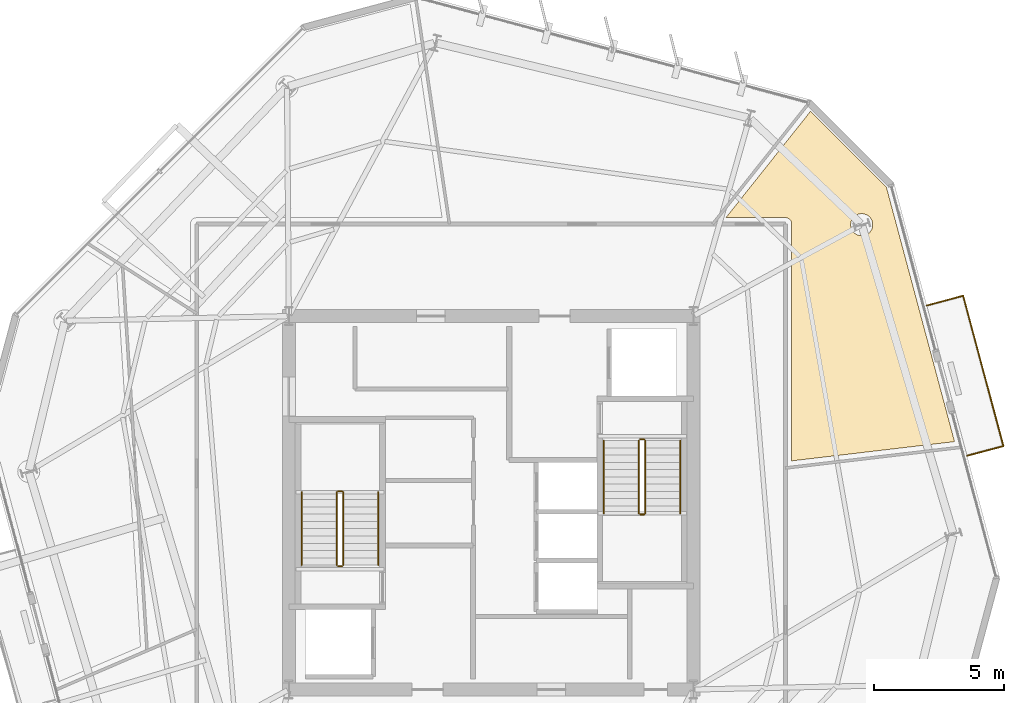
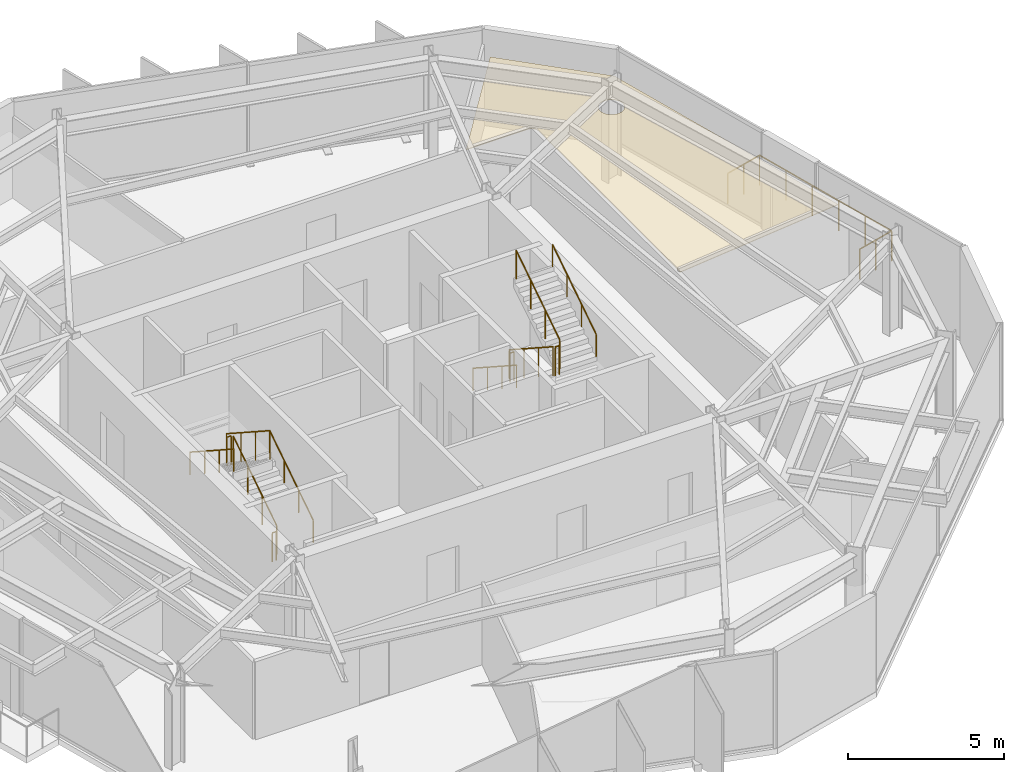
# One storey, part 11 of 12: 13 railings, 1 covering.
"""IFC4 building model written with IfcOpenShell, lengths in metres."""

from ifc_helpers import new_model, si_unit, direction, frame, origin, origin_2d, place, context, subcontext, project, spatial, polyline, circle, outline, extrude, material, layer, layer_set, type_object, element, save


model = new_model("IFC4")

# Units and contexts
model_context = context("Model", 3, precision=1e-05, world=origin(), true_north=direction((0.0, 1.0)))
body_context = subcontext(model_context, "Body", "Model", "MODEL_VIEW")
ifc_project = project(units=[si_unit("LENGTHUNIT", "METRE"), si_unit("AREAUNIT", "SQUARE_METRE"), si_unit("VOLUMEUNIT", "CUBIC_METRE"), si_unit("PLANEANGLEUNIT", "RADIAN"), si_unit("MASSUNIT", "GRAM", prefix="KILO")], contexts=[model_context])

# Site, building, storey
site_placement = place(None, origin())
site = spatial("IfcSite", under=ifc_project, at=site_placement, CompositionType="ELEMENT")
building_placement = place(site_placement, origin())
building = spatial("IfcBuilding", under=site, at=building_placement, Name="Kranzbogen Civic Tower", CompositionType="ELEMENT")
storey_placement = place(building_placement, frame((0.0, 0.0, 204.800048828125)))
storey = spatial("IfcBuildingStorey", under=building, at=storey_placement, Name="L49", CompositionType="ELEMENT", Elevation=204.800048828125)

# Railings
ifc_material_1 = material(Name="Anodised Bronze Aluminium", Category="aluminium")
railing_type_1 = type_object("IfcRailingType", Name="Cantilevered Balcony Glass and Bronze Balustrade 1200", PredefinedType="BALUSTRADE", material=ifc_material_1)
railing_1_placement = place(storey_placement, frame((43.35595703125, 26.81298828125, 0.0)))
element("IfcRailing", 1, at=railing_1_placement, inside=storey, type_object=railing_type_1, Name="L49 exterior terrace balustrade L49-TB1", PredefinedType="BALUSTRADE", context=body_context, shape_type="SweptSolid", body=[
    extrude(circle(Radius=0.02392578125, at=origin_2d()), frame((0.0, 0.0, 1.17578125), z_axis=(0.965999865875, 0.258542567344, 0.0), x_axis=(-0.258542567344, 0.965999865875, 0.0)), (0.0, 0.0, 1.0), 1.450439453125),
    extrude(circle(Radius=0.02392578125, at=origin_2d()), frame((1.401123046875, 0.375, 1.17578125), z_axis=(-0.258855417208, 0.965916079679, 0.0), x_axis=(-0.965916079679, -0.258855417208, 0.0)), (0.0, 0.0, 1.0), 5.99951171875),
    extrude(circle(Radius=0.02392578125, at=origin_2d()), frame((-0.15185546875, 6.169921875, 1.17578125), z_axis=(-0.965999865875, -0.258542567344, 0.0), x_axis=(0.258542567344, -0.965999865875, 0.0)), (0.0, 0.0, 1.0), 1.450439453125),
    extrude(circle(Radius=0.02099609375, at=origin_2d()), origin(), (0.0, 0.0, 1.0), 1.15185546875),
    extrude(circle(Radius=0.02099609375, at=origin_2d()), frame((0.70068359375, 0.1875, 0.0)), (0.0, 0.0, 1.0), 1.15185546875),
    extrude(circle(Radius=0.02099609375, at=origin_2d()), frame((1.401123046875, 0.375, 0.0)), (0.0, 0.0, 1.0), 1.15185546875),
    extrude(circle(Radius=0.02099609375, at=origin_2d()), frame((1.090576171875, 1.533935546875, 0.0)), (0.0, 0.0, 1.0), 1.15185546875),
    extrude(circle(Radius=0.02099609375, at=origin_2d()), frame((0.780029296875, 2.69287109375, 0.0)), (0.0, 0.0, 1.0), 1.15185546875),
    extrude(circle(Radius=0.02099609375, at=origin_2d()), frame((0.46923828125, 3.85205078125, 0.0)), (0.0, 0.0, 1.0), 1.15185546875),
    extrude(circle(Radius=0.02099609375, at=origin_2d()), frame((0.15869140625, 5.010986328125, 0.0)), (0.0, 0.0, 1.0), 1.15185546875),
    extrude(circle(Radius=0.02099609375, at=origin_2d()), frame((-0.15185546875, 6.169921875, 0.0)), (0.0, 0.0, 1.0), 1.15185546875),
    extrude(circle(Radius=0.02099609375, at=origin_2d()), frame((-0.8525390625, 5.982421875, 0.0)), (0.0, 0.0, 1.0), 1.15185546875),
    extrude(circle(Radius=0.02099609375, at=origin_2d()), frame((-1.552978515625, 5.794921875, 0.0)), (0.0, 0.0, 1.0), 1.15185546875),
])
ifc_material_2 = material(Name="Steel S355", Category="steel")
railing_type_2 = type_object("IfcRailingType", Name="Internal Stair and Void Steel Guardrail 1150", PredefinedType="GUARDRAIL", material=ifc_material_2)
railing_2_placement = place(storey_placement, frame((19.300048828125, 22.60009765625, 0.181884765625)))
element("IfcRailing", 2, at=railing_2_placement, inside=storey, type_object=railing_type_2, Name="L49 ST-T1 stair guard 1", PredefinedType="GUARDRAIL", context=body_context, shape_type="SweptSolid", body=[
    extrude(circle(Radius=0.02392578125, at=origin_2d()), frame((0.0, 0.0, 1.1259765625), z_axis=(0.0, 0.83868413941, 0.544618136222), x_axis=(-1.0, 0.0, 0.0)), (0.0, 0.0, 1.0), 3.33837890625),
    extrude(circle(Radius=0.02099609375, at=origin_2d()), origin(), (0.0, 0.0, 1.0), 1.101806640625),
    extrude(circle(Radius=0.02099609375, at=origin_2d()), frame((0.0, 0.933349609375, 0.60595703125)), (0.0, 0.0, 1.0), 1.101806640625),
    extrude(circle(Radius=0.02099609375, at=origin_2d()), frame((0.0, 1.866455078125, 1.212158203125)), (0.0, 0.0, 1.0), 1.101806640625),
    extrude(circle(Radius=0.02099609375, at=origin_2d()), frame((0.0, 2.7998046875, 1.818115234375)), (0.0, 0.0, 1.0), 1.101806640625),
])
railing_3_placement = place(storey_placement, frame((19.25, 25.449951171875, 2.0)))
element("IfcRailing", 3, at=railing_3_placement, inside=storey, type_object=railing_type_2, Name="L49 ST-T1 stair guard 2", PredefinedType="GUARDRAIL", context=body_context, shape_type="SweptSolid", body=[
    extrude(circle(Radius=0.02392578125, at=origin_2d()), frame((0.0, 0.0, 1.1259765625), z_axis=(-1.0, 0.0, 0.0), x_axis=(0.0, -1.0, 0.0)), (0.0, 0.0, 1.0), 0.14990234375),
    extrude(circle(Radius=0.02099609375, at=origin_2d()), origin(), (0.0, 0.0, 1.0), 1.101806640625),
    extrude(circle(Radius=0.02099609375, at=origin_2d()), frame((-0.14990234375, 0.0, 0.0)), (0.0, 0.0, 1.0), 1.101806640625),
])
railing_4_placement = place(storey_placement, frame((19.050048828125, 25.39990234375, 2.181884765625)))
element("IfcRailing", 4, at=railing_4_placement, inside=storey, type_object=railing_type_2, Name="L49 ST-T1 stair guard 3", PredefinedType="GUARDRAIL", context=body_context, shape_type="SweptSolid", body=[
    extrude(circle(Radius=0.02392578125, at=origin_2d()), frame((0.0, 0.0, 1.1259765625), z_axis=(0.0, -0.83868413941, 0.544618136222), x_axis=(1.0, 0.0, 0.0)), (0.0, 0.0, 1.0), 3.33837890625),
    extrude(circle(Radius=0.02099609375, at=origin_2d()), origin(), (0.0, 0.0, 1.0), 1.101806640625),
    extrude(circle(Radius=0.02099609375, at=origin_2d()), frame((0.0, -0.933349609375, 0.60595703125)), (0.0, 0.0, 1.0), 1.101806640625),
    extrude(circle(Radius=0.02099609375, at=origin_2d()), frame((0.0, -1.866455078125, 1.212158203125)), (0.0, 0.0, 1.0), 1.101806640625),
    extrude(circle(Radius=0.02099609375, at=origin_2d()), frame((0.0, -2.7998046875, 1.818115234375)), (0.0, 0.0, 1.0), 1.101806640625),
])
railing_5_placement = place(storey_placement, frame((19.25, 22.550048828125, 0.0)))
element("IfcRailing", 5, at=railing_5_placement, inside=storey, type_object=railing_type_2, Name="L49 ST-T1 stair guard 4", PredefinedType="GUARDRAIL", context=body_context, shape_type="SweptSolid", body=[
    extrude(circle(Radius=0.02392578125, at=origin_2d()), frame((0.0, 0.0, 1.1259765625), z_axis=(-1.0, 0.0, 0.0), x_axis=(0.0, -1.0, 0.0)), (0.0, 0.0, 1.0), 0.14990234375),
    extrude(circle(Radius=0.02099609375, at=origin_2d()), origin(), (0.0, 0.0, 1.0), 1.101806640625),
    extrude(circle(Radius=0.02099609375, at=origin_2d()), frame((-0.14990234375, 0.0, 0.0)), (0.0, 0.0, 1.0), 1.101806640625),
])
railing_6_placement = place(storey_placement, frame((30.699951171875, 27.39990234375, 0.181884765625)))
element("IfcRailing", 6, at=railing_6_placement, inside=storey, type_object=railing_type_2, Name="L49 ST-T2 stair guard 1", PredefinedType="GUARDRAIL", context=body_context, shape_type="SweptSolid", body=[
    extrude(circle(Radius=0.02392578125, at=origin_2d()), frame((0.0, 0.0, 1.1259765625), z_axis=(0.0, -0.83868413941, 0.544618136222), x_axis=(1.0, 0.0, 0.0)), (0.0, 0.0, 1.0), 3.33837890625),
    extrude(circle(Radius=0.02099609375, at=origin_2d()), origin(), (0.0, 0.0, 1.0), 1.101806640625),
    extrude(circle(Radius=0.02099609375, at=origin_2d()), frame((0.0, -0.933349609375, 0.60595703125)), (0.0, 0.0, 1.0), 1.101806640625),
    extrude(circle(Radius=0.02099609375, at=origin_2d()), frame((0.0, -1.866455078125, 1.212158203125)), (0.0, 0.0, 1.0), 1.101806640625),
    extrude(circle(Radius=0.02099609375, at=origin_2d()), frame((0.0, -2.7998046875, 1.818115234375)), (0.0, 0.0, 1.0), 1.101806640625),
])
railing_7_placement = place(storey_placement, frame((30.75, 24.550048828125, 2.0)))
element("IfcRailing", 7, at=railing_7_placement, inside=storey, type_object=railing_type_2, Name="L49 ST-T2 stair guard 2", PredefinedType="GUARDRAIL", context=body_context, shape_type="SweptSolid", body=[
    extrude(circle(Radius=0.02392578125, at=origin_2d()), frame((0.0, 0.0, 1.1259765625), z_axis=(1.0, 0.0, 0.0), x_axis=(0.0, 1.0, 0.0)), (0.0, 0.0, 1.0), 0.14990234375),
    extrude(circle(Radius=0.02099609375, at=origin_2d()), origin(), (0.0, 0.0, 1.0), 1.101806640625),
    extrude(circle(Radius=0.02099609375, at=origin_2d()), frame((0.14990234375, 0.0, 0.0)), (0.0, 0.0, 1.0), 1.101806640625),
])
railing_8_placement = place(storey_placement, frame((30.949951171875, 24.60009765625, 2.181884765625)))
element("IfcRailing", 8, at=railing_8_placement, inside=storey, type_object=railing_type_2, Name="L49 ST-T2 stair guard 3", PredefinedType="GUARDRAIL", context=body_context, shape_type="SweptSolid", body=[
    extrude(circle(Radius=0.02392578125, at=origin_2d()), frame((0.0, 0.0, 1.1259765625), z_axis=(0.0, 0.83868413941, 0.544618136222), x_axis=(-1.0, 0.0, 0.0)), (0.0, 0.0, 1.0), 3.33837890625),
    extrude(circle(Radius=0.02099609375, at=origin_2d()), origin(), (0.0, 0.0, 1.0), 1.101806640625),
    extrude(circle(Radius=0.02099609375, at=origin_2d()), frame((0.0, 0.933349609375, 0.60595703125)), (0.0, 0.0, 1.0), 1.101806640625),
    extrude(circle(Radius=0.02099609375, at=origin_2d()), frame((0.0, 1.866455078125, 1.212158203125)), (0.0, 0.0, 1.0), 1.101806640625),
    extrude(circle(Radius=0.02099609375, at=origin_2d()), frame((0.0, 2.7998046875, 1.818115234375)), (0.0, 0.0, 1.0), 1.101806640625),
])
railing_9_placement = place(storey_placement, frame((30.75, 27.449951171875, 0.0)))
element("IfcRailing", 9, at=railing_9_placement, inside=storey, type_object=railing_type_2, Name="L49 ST-T2 stair guard 4", PredefinedType="GUARDRAIL", context=body_context, shape_type="SweptSolid", body=[
    extrude(circle(Radius=0.02392578125, at=origin_2d()), frame((0.0, 0.0, 1.1259765625), z_axis=(1.0, 0.0, 0.0), x_axis=(0.0, 1.0, 0.0)), (0.0, 0.0, 1.0), 0.14990234375),
    extrude(circle(Radius=0.02099609375, at=origin_2d()), origin(), (0.0, 0.0, 1.0), 1.101806640625),
    extrude(circle(Radius=0.02099609375, at=origin_2d()), frame((0.14990234375, 0.0, 0.0)), (0.0, 0.0, 1.0), 1.101806640625),
])

# Covering
ifc_material_3 = material(Name="Perforated Acoustic Gypsum Ceiling")
ifc_layer = layer(ifc_material_3, 0.02490234375, Name="Perforated Acoustic Gypsum Ceiling")
ifc_layer_set = layer_set([ifc_layer], Name="Perforated Acoustic Gypsum Ceiling")
covering_type = type_object("IfcCoveringType", Name="Perforated Acoustic Mineral Ceiling Tile 25 mm", PredefinedType="CEILING", material=ifc_layer_set)
covering_placement = place(storey_placement, frame((0.0, 0.0, 2.75)))
element("IfcCovering", 10, at=covering_placement, inside=storey, type_object=covering_type, Name="L49 Licensing Information Kiosk acoustic ceiling", PredefinedType="CEILING", context=body_context, shape_type="SweptSolid", body=[
    extrude(outline(polyline([(36.594970703125, 26.616943359375), (36.594970703125, 35.75), (36.594970703125, 35.759033203125), (36.593994140625, 35.764892578125), (36.593017578125, 35.782958984375), (36.592041015625, 35.7890625), (36.587890625, 35.805908203125), (36.5869140625, 35.81298828125), (36.58203125, 35.830078125), (36.580078125, 35.8359375), (36.572998046875, 35.85205078125), (36.570068359375, 35.85791015625), (36.56201171875, 35.873046875), (36.55810546875, 35.87890625), (36.549072265625, 35.89306640625), (36.544921875, 35.89794921875), (36.533935546875, 35.912109375), (36.529052734375, 35.9169921875), (36.51708984375, 35.928955078125), (36.511962890625, 35.93408203125), (36.498046875, 35.945068359375), (36.492919921875, 35.948974609375), (36.47900390625, 35.9580078125), (36.472900390625, 35.9619140625), (36.4580078125, 35.969970703125), (36.451904296875, 35.972900390625), (36.43603515625, 35.97998046875), (36.429931640625, 35.98193359375), (36.4130859375, 35.987060546875), (36.406005859375, 35.988037109375), (36.388916015625, 35.991943359375), (36.383056640625, 35.992919921875), (36.364990234375, 35.993896484375), (36.35888671875, 35.9951171875), (36.35009765625, 35.9951171875), (34.055908203125, 35.9951171875), (37.322021484375, 40.10302734375), (40.241943359375, 37.18310546875), (42.873046875, 27.35888671875), (36.594970703125, 26.616943359375)]), holes=[polyline([(39.68603515625, 35.56103515625), (39.66796875, 35.52294921875), (39.64697265625, 35.488037109375), (39.6220703125, 35.4541015625), (39.593994140625, 35.423095703125), (39.56298828125, 35.39501953125), (39.529052734375, 35.3701171875), (39.493896484375, 35.34912109375), (39.4560546875, 35.3310546875), (39.4169921875, 35.31689453125), (39.3759765625, 35.306884765625), (39.3349609375, 35.301025390625), (39.29296875, 35.299072265625), (39.2509765625, 35.301025390625), (39.2099609375, 35.306884765625), (39.1689453125, 35.31689453125), (39.1298828125, 35.3310546875), (39.092041015625, 35.34912109375), (39.056884765625, 35.3701171875), (39.02294921875, 35.39501953125), (38.991943359375, 35.423095703125), (38.964111328125, 35.4541015625), (38.93896484375, 35.488037109375), (38.91796875, 35.52294921875), (38.89990234375, 35.56103515625), (38.885986328125, 35.60009765625), (38.8759765625, 35.64111328125), (38.8701171875, 35.681884765625), (38.867919921875, 35.72412109375), (38.8701171875, 35.76611328125), (38.8759765625, 35.806884765625), (38.885986328125, 35.847900390625), (38.89990234375, 35.886962890625), (38.91796875, 35.925048828125), (38.93896484375, 35.9599609375), (38.964111328125, 35.993896484375), (38.991943359375, 36.02490234375), (39.02294921875, 36.052978515625), (39.056884765625, 36.077880859375), (39.092041015625, 36.09912109375), (39.1298828125, 36.116943359375), (39.1689453125, 36.131103515625), (39.2099609375, 36.14111328125), (39.2509765625, 36.14697265625), (39.29296875, 36.14892578125), (39.3349609375, 36.14697265625), (39.3759765625, 36.14111328125), (39.4169921875, 36.131103515625), (39.4560546875, 36.116943359375), (39.493896484375, 36.09912109375), (39.529052734375, 36.077880859375), (39.56298828125, 36.052978515625), (39.593994140625, 36.02490234375), (39.6220703125, 35.993896484375), (39.64697265625, 35.9599609375), (39.66796875, 35.925048828125), (39.68603515625, 35.886962890625), (39.699951171875, 35.847900390625), (39.7099609375, 35.806884765625), (39.716064453125, 35.76611328125), (39.718017578125, 35.72412109375), (39.716064453125, 35.681884765625), (39.7099609375, 35.64111328125), (39.699951171875, 35.60009765625), (39.68603515625, 35.56103515625)])]), origin(), (0.0, 0.0, 1.0), 0.02490234375),
])

# Railings
ifc_material_4 = material(Name="Pale Anodised Aluminium", Category="aluminium")
railing_type_3 = type_object("IfcRailingType", Name="Tubular Stainless Stair Wall Handrail 900", PredefinedType="HANDRAIL", material=ifc_material_4)
railing_10_placement = place(storey_placement, frame((20.64990234375, 22.60009765625, 0.181884765625)))
element("IfcRailing", 11, at=railing_10_placement, inside=storey, type_object=railing_type_3, Name="L49 ST-T1 stair handrail 1", PredefinedType="HANDRAIL", context=body_context, shape_type="SweptSolid", body=[
    extrude(circle(Radius=0.02392578125, at=origin_2d()), frame((0.0, 0.0, 0.8759765625), z_axis=(0.0, 0.83868413941, 0.544618136222), x_axis=(-1.0, 0.0, 0.0)), (0.0, 0.0, 1.0), 3.33837890625),
    extrude(circle(Radius=0.02099609375, at=origin_2d()), origin(), (0.0, 0.0, 1.0), 0.851806640625),
    extrude(circle(Radius=0.02099609375, at=origin_2d()), frame((0.0, 0.933349609375, 0.60595703125)), (0.0, 0.0, 1.0), 0.851806640625),
    extrude(circle(Radius=0.02099609375, at=origin_2d()), frame((0.0, 1.866455078125, 1.212158203125)), (0.0, 0.0, 1.0), 0.851806640625),
    extrude(circle(Radius=0.02099609375, at=origin_2d()), frame((0.0, 2.7998046875, 1.818115234375)), (0.0, 0.0, 1.0), 0.851806640625),
])
for number, where, name in (
    (12, (17.699951171875, 25.39990234375, 2.181884765625), "L49 ST-T1 stair handrail 2"),
    (13, (29.35009765625, 27.39990234375, 0.181884765625), "L49 ST-T2 stair handrail 1"),
):
    element("IfcRailing", number, at=place(storey_placement, frame(where)), inside=storey, type_object=railing_type_3, Name=name, PredefinedType="HANDRAIL", context=body_context, shape_type="SweptSolid", body=[
        extrude(circle(Radius=0.02392578125, at=origin_2d()), frame((0.0, 0.0, 0.8759765625), z_axis=(0.0, -0.83868413941, 0.544618136222), x_axis=(1.0, 0.0, 0.0)), (0.0, 0.0, 1.0), 3.33837890625),
        extrude(circle(Radius=0.02099609375, at=origin_2d()), origin(), (0.0, 0.0, 1.0), 0.851806640625),
        extrude(circle(Radius=0.02099609375, at=origin_2d()), frame((0.0, -0.933349609375, 0.60595703125)), (0.0, 0.0, 1.0), 0.851806640625),
        extrude(circle(Radius=0.02099609375, at=origin_2d()), frame((0.0, -1.866455078125, 1.212158203125)), (0.0, 0.0, 1.0), 0.851806640625),
        extrude(circle(Radius=0.02099609375, at=origin_2d()), frame((0.0, -2.7998046875, 1.818115234375)), (0.0, 0.0, 1.0), 0.851806640625),
    ])
railing_11_placement = place(storey_placement, frame((32.300048828125, 24.60009765625, 2.181884765625)))
element("IfcRailing", 14, at=railing_11_placement, inside=storey, type_object=railing_type_3, Name="L49 ST-T2 stair handrail 2", PredefinedType="HANDRAIL", context=body_context, shape_type="SweptSolid", body=[
    extrude(circle(Radius=0.02392578125, at=origin_2d()), frame((0.0, 0.0, 0.8759765625), z_axis=(0.0, 0.83868413941, 0.544618136222), x_axis=(-1.0, 0.0, 0.0)), (0.0, 0.0, 1.0), 3.33837890625),
    extrude(circle(Radius=0.02099609375, at=origin_2d()), origin(), (0.0, 0.0, 1.0), 0.851806640625),
    extrude(circle(Radius=0.02099609375, at=origin_2d()), frame((0.0, 0.933349609375, 0.60595703125)), (0.0, 0.0, 1.0), 0.851806640625),
    extrude(circle(Radius=0.02099609375, at=origin_2d()), frame((0.0, 1.866455078125, 1.212158203125)), (0.0, 0.0, 1.0), 0.851806640625),
    extrude(circle(Radius=0.02099609375, at=origin_2d()), frame((0.0, 2.7998046875, 1.818115234375)), (0.0, 0.0, 1.0), 0.851806640625),
])

save(model, "model.ifc")
